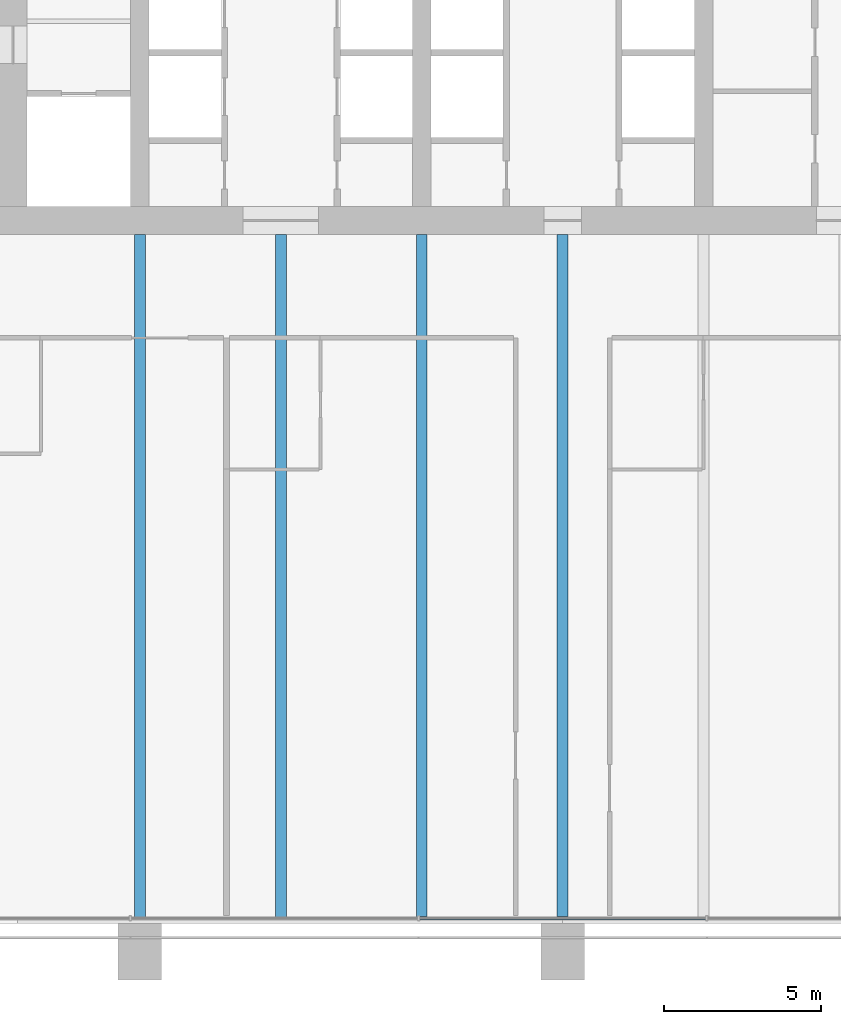
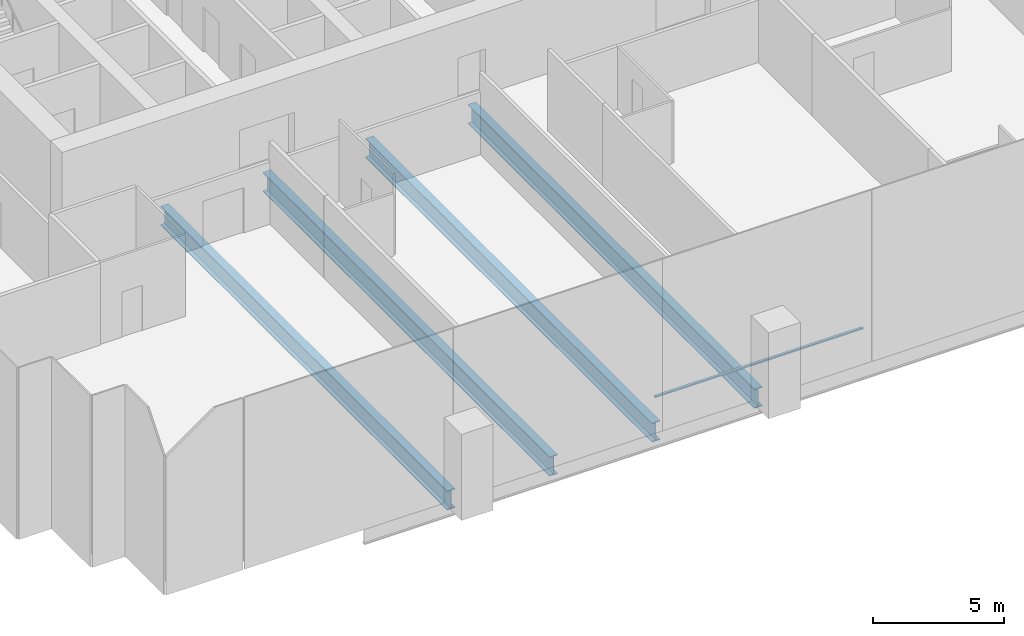
# One storey, part 3 of 16: 4 beams, 1 member, 1 element without a shape of its own.
"""IFC4 building model written with IfcOpenShell, lengths in metres."""

from ifc_helpers import new_model, si_unit, direction, frame, origin, origin_2d, place, context, subcontext, project, spatial, rectangle, i_section, extrude, material, material_profile, profile_set, type_object, element, aggregate, save


model = new_model("IFC4")

# Units and contexts
model_context = context("Model", 3, precision=1e-05, world=origin(), true_north=direction((0.0, 1.0)))
body_context = subcontext(model_context, "Body", "Model", "MODEL_VIEW")
ifc_project = project(units=[si_unit("LENGTHUNIT", "METRE"), si_unit("AREAUNIT", "SQUARE_METRE"), si_unit("VOLUMEUNIT", "CUBIC_METRE"), si_unit("PLANEANGLEUNIT", "RADIAN"), si_unit("MASSUNIT", "GRAM", prefix="KILO")], contexts=[model_context])

# Site, building, storey
site_placement = place(None, origin())
site = spatial("IfcSite", under=ifc_project, at=site_placement, CompositionType="ELEMENT")
building_placement = place(site_placement, origin())
building = spatial("IfcBuilding", under=site, at=building_placement, Name="Rattan Terrace Tower", CompositionType="ELEMENT")
storey_placement = place(building_placement, frame((0.0, 0.0, 150.10009765625)))
storey = spatial("IfcBuildingStorey", under=building, at=storey_placement, Name="L34", CompositionType="ELEMENT", Elevation=150.10009765625)

# Curtain wall, member
ifc_material_1 = material(Name="Aluminium and glass", Category="aluminium")
curtain_wall_type = type_object("IfcCurtainWallType", Name="Facade Unitised Curtain Wall", PredefinedType="NOTDEFINED", material=ifc_material_1)
curtain_wall_placement = place(storey_placement, origin())
curtain_wall = element("IfcCurtainWall", 1, at=curtain_wall_placement, inside=storey, type_object=curtain_wall_type, Name="Curtain wall L34-4", PredefinedType="NOTDEFINED")
ifc_material_2 = material(Name="Aluminium", Category="aluminium")
ifc_material_profile_1 = material_profile(ifc_material_2, rectangle(XDim=0.1201171875, YDim=0.06005859375, at=origin_2d()), Name="Aluminium 120x60")
ifc_profile_set_1 = profile_set([ifc_material_profile_1], Name="Aluminium")
member_type = type_object("IfcMemberType", Name="Facade CW Transom 120x60", PredefinedType="USERDEFINED", material=ifc_profile_set_1)
member_placement = place(storey_placement, frame((-4.568115234375, -29.330078125, 1.0), z_axis=(1.0, 0.0, 0.0), x_axis=(0.0, 1.0, 0.0)))
member = element("IfcMember", 2, at=member_placement, type_object=member_type, Name="Transom cwl-L34-004.3", ObjectType="TRANSOM", PredefinedType="USERDEFINED", context=body_context, shape_type="SweptSolid", body=[
    extrude(rectangle(XDim=0.1201171875, YDim=0.06005859375, at=origin_2d()), origin(), (0.0, 0.0, 1.0), 9.14111328125),
])
aggregate(curtain_wall, [member])

# Beams
ifc_material_3 = material(Name="Steel S460", Category="steel")
ifc_material_profile_2 = material_profile(ifc_material_3, i_section(OverallWidth=0.35009765625, OverallDepth=0.89990234375, WebThickness=0.013916015625, FlangeThickness=0.0400390625, at=origin_2d()), Name="PG 900x350-14-40")
ifc_profile_set_2 = profile_set([ifc_material_profile_2], Name="Steel S460")
beam_type = type_object("IfcBeamType", Name="Frame floor beam PG 900x350-14-40", PredefinedType="JOIST", material=ifc_profile_set_2)
for number, where, z_axis, x_axis, name in (
    (3, (-13.5, -29.320068359375, -0.650146484375), (0.0, 1.0, 0.0), (-1.0, 0.0, 0.0), "bm-L34-003"),
    (4, (-9.0, -29.320068359375, -0.650146484375), (0.0, 1.0, 0.0), (-1.0, 0.0, 0.0), "bm-L34-004"),
    (5, (-4.5, -29.320068359375, -0.650146484375), (0.0, 1.0, 0.0), (-1.0, 0.0, 0.0), "bm-L34-005"),
    (6, (0.0, -29.320068359375, -0.650146484375), (0.0, 1.0, 0.0), (-1.0, 0.0, 0.0), "bm-L34-006"),
):
    element("IfcBeam", number, at=place(storey_placement, frame(where, z_axis=z_axis, x_axis=x_axis)), inside=storey, type_object=beam_type, Name=name, PredefinedType="JOIST", context=body_context, shape_type="SweptSolid", body=[
        extrude(i_section(OverallWidth=0.35009765625, OverallDepth=0.89990234375, WebThickness=0.013916015625, FlangeThickness=0.0400390625, at=origin_2d()), origin(), (0.0, 0.0, 1.0), 21.820068359375),
    ])

save(model, "model.ifc")
